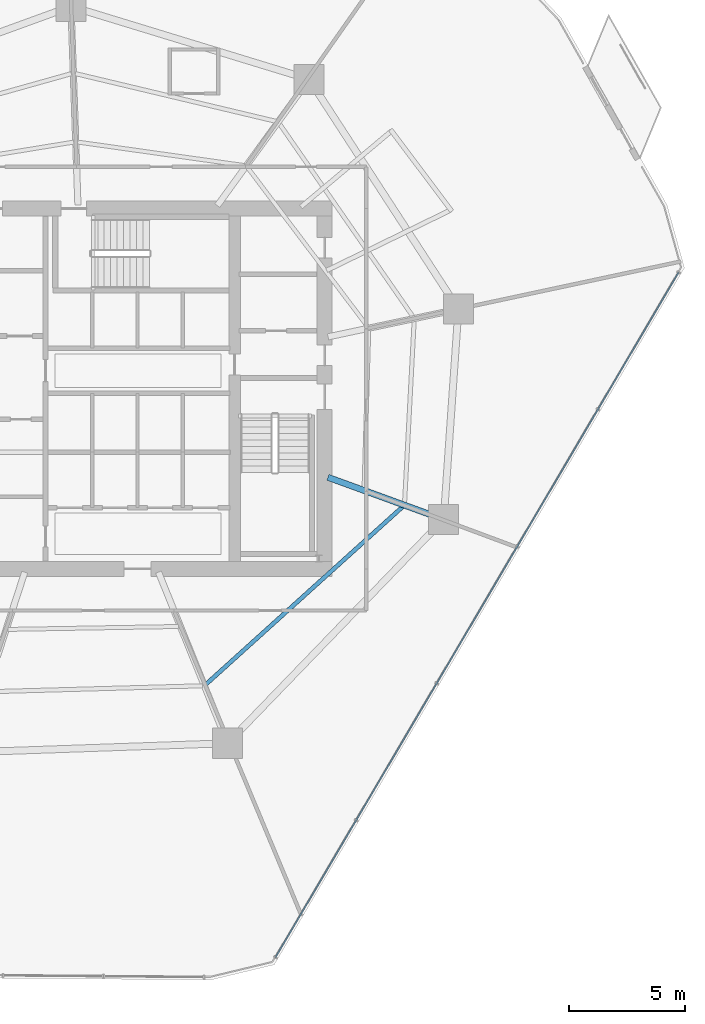
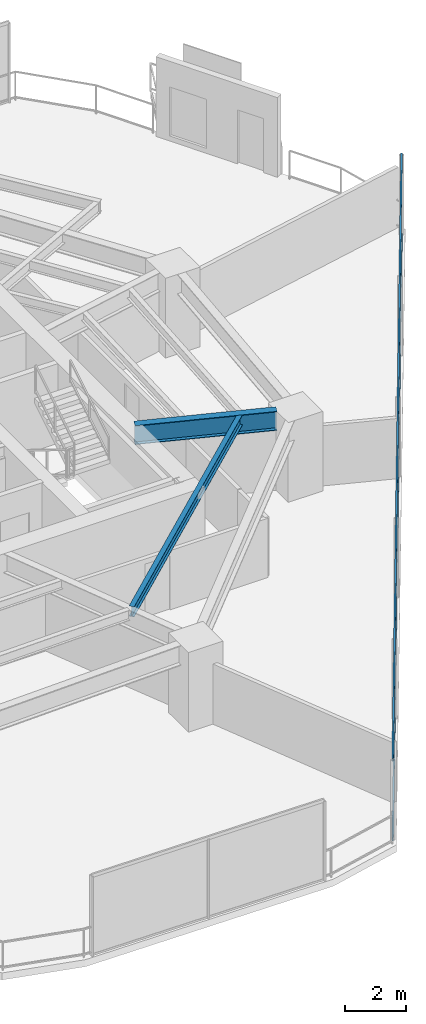
# One storey, part 12 of 31: 2 beams, 2 members, 1 element without a shape of its own.
"""IFC4 building model written with IfcOpenShell, lengths in metres."""

from ifc_helpers import new_model, si_unit, direction, frame, origin, origin_2d, place, context, subcontext, project, spatial, hollow_rectangle, i_section, extrude, material, layer, layer_set, material_profile, profile_set, type_object, element, aggregate, save


model = new_model("IFC4")

# Units and contexts
model_context = context("Model", 3, precision=1e-05, world=origin(), true_north=direction((0.0, 1.0)))
body_context = subcontext(model_context, "Body", "Model", "MODEL_VIEW")
ifc_project = project(units=[si_unit("LENGTHUNIT", "METRE"), si_unit("AREAUNIT", "SQUARE_METRE"), si_unit("VOLUMEUNIT", "CUBIC_METRE"), si_unit("PLANEANGLEUNIT", "RADIAN"), si_unit("MASSUNIT", "GRAM", prefix="KILO")], contexts=[model_context])

# Site, building, storey
site_placement = place(None, origin())
site = spatial("IfcSite", under=ifc_project, at=site_placement, CompositionType="ELEMENT")
building_placement = place(site_placement, origin())
building = spatial("IfcBuilding", under=site, at=building_placement, Name="Qarnah Convention Tower", CompositionType="ELEMENT")
storey_placement = place(building_placement, frame((0.0, 0.0, 64.949951171875)))
storey = spatial("IfcBuildingStorey", under=building, at=storey_placement, Name="L16", CompositionType="ELEMENT", Elevation=64.949951171875)

# Beams
ifc_material_1 = material(Name="Structural steel S355JR", Category="steel")
ifc_material_profile_1 = material_profile(ifc_material_1, i_section(OverallWidth=0.177978515625, OverallDepth=0.407958984375, WebThickness=0.008056640625, FlangeThickness=0.012939453125, at=origin_2d()), Name="W410X60")
ifc_profile_set_1 = profile_set([ifc_material_profile_1], Name="Structural steel S355JR")
beam_type_1 = type_object("IfcBeamType", Name="BM-JST-W410", PredefinedType="JOIST", material=ifc_profile_set_1)
beam_1_placement = place(storey_placement, frame((42.4609375, 13.60498046875, 2.966064453125), z_axis=(0.742326054704, 0.67003882612, 0.0), x_axis=(-0.67003882612, 0.742326054704, 0.0)))
element("IfcBeam", 1, at=beam_1_placement, inside=storey, type_object=beam_type_1, Name="L16 joist BM-L16-SJST-08", PredefinedType="JOIST", context=body_context, shape_type="SweptSolid", body=[
    extrude(i_section(OverallWidth=0.177978515625, OverallDepth=0.407958984375, WebThickness=0.008056640625, FlangeThickness=0.012939453125, at=origin_2d()), origin(), (0.0, 0.0, 1.0), 11.483154296875),
])
ifc_material_profile_2 = material_profile(ifc_material_1, i_section(OverallWidth=0.26806640625, OverallDepth=0.760009765625, WebThickness=0.014892578125, FlangeThickness=0.02197265625, at=origin_2d()), Name="W760X185")
ifc_profile_set_2 = profile_set([ifc_material_profile_2], Name="Structural steel S355JR")
beam_type_2 = type_object("IfcBeamType", Name="BM-RAD-W760", PredefinedType="BEAM", material=ifc_profile_set_2)
beam_2_placement = place(storey_placement, frame((47.740966796875, 22.56396484375, 2.7900390625), z_axis=(0.939656930297, -0.342118186224, 0.0), x_axis=(0.342118186224, 0.939656930297, 0.0)))
element("IfcBeam", 2, at=beam_2_placement, inside=storey, type_object=beam_type_2, Name="L16 beam BM-L16-RAD-09", PredefinedType="BEAM", context=body_context, shape_type="SweptSolid", body=[
    extrude(i_section(OverallWidth=0.26806640625, OverallDepth=0.760009765625, WebThickness=0.014892578125, FlangeThickness=0.02197265625, at=origin_2d()), origin(), (0.0, 0.0, 1.0), 4.70263671875),
])

# Curtain wall, members
ifc_material_2 = material(Name="Tempered Low-E dark glass", Category="glass")
ifc_layer = layer(ifc_material_2, 0.16796875)
ifc_layer_set = layer_set([ifc_layer], Name="Tempered Low-E dark glass")
curtain_wall_type = type_object("IfcCurtainWallType", Name="CWS-01", PredefinedType="NOTDEFINED", material=ifc_layer_set)
curtain_wall_placement = place(storey_placement, origin())
curtain_wall = element("IfcCurtainWall", 3, at=curtain_wall_placement, inside=storey, type_object=curtain_wall_type, Name="L16 unitised curtain wall CW-L16-F2", PredefinedType="NOTDEFINED")
ifc_material_3 = material(Name="Black anodised aluminium", Category="aluminium")
ifc_material_profile_3 = material_profile(ifc_material_3, hollow_rectangle(XDim=0.06005859375, YDim=0.1298828125, WallThickness=0.00390625, at=origin_2d()), Name="TRN-60X130")
ifc_profile_set_3 = profile_set([ifc_material_profile_3], Name="Black anodised aluminium")
member_type = type_object("IfcMemberType", Name="TRN-T1", PredefinedType="USERDEFINED", material=ifc_profile_set_3)
member_1_placement = place(storey_placement, frame((62.916015625, 31.431884765625, 0.0), z_axis=(-0.507204056549, -0.86182599463, 0.0), x_axis=(0.86182599463, -0.507204056549, 0.0)))
member_1 = element("IfcMember", 4, at=member_1_placement, type_object=member_type, Name="CW-L16-F2 transom 1", ObjectType="TRANSOM", PredefinedType="USERDEFINED", context=body_context, shape_type="SweptSolid", body=[
    extrude(hollow_rectangle(XDim=0.06005859375, YDim=0.1298828125, WallThickness=0.00390625, at=origin_2d()), origin(), (0.0, 0.0, 1.0), 34.396484375),
])
member_2_placement = place(storey_placement, frame((62.916015625, 31.431884765625, 3.170166015625), z_axis=(-0.507204056549, -0.86182599463, 0.0), x_axis=(0.86182599463, -0.507204056549, 0.0)))
member_2 = element("IfcMember", 5, at=member_2_placement, type_object=member_type, Name="CW-L16-F2 transom 2", ObjectType="TRANSOM", PredefinedType="USERDEFINED", context=body_context, shape_type="SweptSolid", body=[
    extrude(hollow_rectangle(XDim=0.06005859375, YDim=0.1298828125, WallThickness=0.00390625, at=origin_2d()), origin(), (0.0, 0.0, 1.0), 34.396484375),
])
aggregate(curtain_wall, [member_1, member_2])

save(model, "model.ifc")
